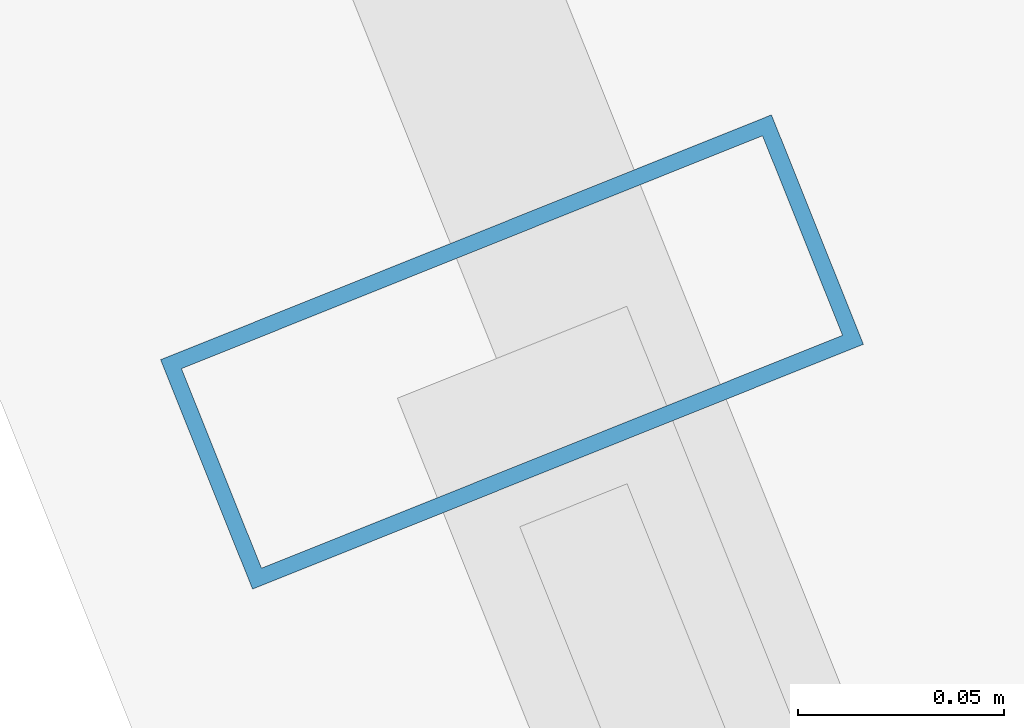
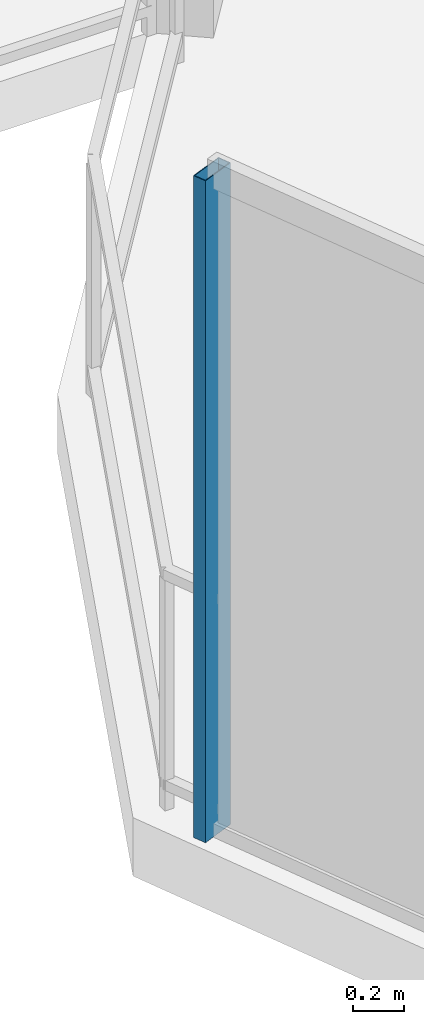
# One storey, part 16 of 32: 1 member, 1 element without a shape of its own.
"""IFC4 building model written with IfcOpenShell, lengths in metres."""

import ifcopenshell
import ifcopenshell.guid

model = None  # the IFC model being written
_history = None  # IfcOwnerHistory: only IFC2X3 demands one
_inside = {}  # id of a spatial element -> (the spatial element, [elements in it])
_under = {}  # id of a project, library or spatial element -> (it, [spatial elements below it])
_declared = {}  # id of a project -> (the project, [libraries it declares])
_typed = {}  # id of a type object -> (the type object, [elements of that type])
_made_of = {}  # id of a material, layer set ... -> (it, [elements and type objects made of it])


def new_model(schema):
    """Start an empty IFC model of exactly this schema.

    Asked for "IFC4X3", IfcOpenShell would pick the latest addendum, in which some entities
    have other attributes; the version numbers below select the first issue.
    IFC2X3 requires an IfcOwnerHistory on every rooted entity: one is made here for all.
    """
    global model, _history
    if schema == "IFC4X3":
        model = ifcopenshell.file(schema_version=(4, 3, 0, 0))
    else:
        model = ifcopenshell.file(schema=schema)
    _inside.clear()
    _under.clear()
    _declared.clear()
    _typed.clear()
    _made_of.clear()
    _history = None
    if model.schema == "IFC2X3":
        org = make("IfcOrganization", Name="unknown")
        user = make(
            "IfcPersonAndOrganization",
            ThePerson=make("IfcPerson", FamilyName="unknown"),
            TheOrganization=org,
        )
        app = make(
            "IfcApplication",
            ApplicationDeveloper=org,
            Version="unknown",
            ApplicationFullName="unknown",
            ApplicationIdentifier="unknown",
        )
        _history = make(
            "IfcOwnerHistory",
            OwningUser=user,
            OwningApplication=app,
            ChangeAction="ADDED",
            CreationDate=0,
        )
    return model


def make(cls, **values):
    """One entity of the class cls with the attributes given. An attribute that is None is left unset."""
    return model.create_entity(
        cls, **{name: value for name, value in values.items() if value is not None}
    )


def rooted(cls, **values):
    """An entity with a GlobalId (a new one), such as an element, a storey or a relation."""
    return make(cls, GlobalId=ifcopenshell.guid.new(), OwnerHistory=_history, **values)


def si_unit(unit_type, name, prefix=None):
    """IfcSIUnit, for example si_unit("LENGTHUNIT", "METRE", prefix="MILLI")."""
    return make("IfcSIUnit", UnitType=unit_type, Prefix=prefix, Name=name)


def assignment(units):
    """IfcUnitAssignment: the units of a project."""
    return None if units is None else make("IfcUnitAssignment", Units=units)


def point(xyz):
    """IfcCartesianPoint."""
    return None if xyz is None else make("IfcCartesianPoint", Coordinates=xyz)


def direction(xyz):
    """IfcDirection."""
    return None if xyz is None else make("IfcDirection", DirectionRatios=xyz)


def frame(location, z_axis=None, x_axis=None):
    """IfcAxis2Placement3D, a coordinate frame: its origin and axes. An axis left out is left unset."""
    return make(
        "IfcAxis2Placement3D",
        Location=point(location),
        Axis=direction(z_axis),
        RefDirection=direction(x_axis),
    )


def frame_2d(location, x_axis=None):
    """IfcAxis2Placement2D, a coordinate frame in the plane: its origin and x axis."""
    return make(
        "IfcAxis2Placement2D", Location=point(location), RefDirection=direction(x_axis)
    )


def origin():
    """The frame at (0, 0, 0) with its axes left unset."""
    return frame((0.0, 0.0, 0.0))


def origin_2d():
    """The frame at (0, 0) in the plane with its x axis left unset."""
    return frame_2d((0.0, 0.0))


def place(relative_to, where):
    """IfcLocalPlacement: puts the frame where relative to a parent placement (None: the world)."""
    return make(
        "IfcLocalPlacement", PlacementRelTo=relative_to, RelativePlacement=where
    )


def context(
    kind, dimensions, precision=None, world=None, true_north=None, identifier=None
):
    """IfcGeometricRepresentationContext, for example the 3D "Model" context."""
    return make(
        "IfcGeometricRepresentationContext",
        ContextIdentifier=identifier,
        ContextType=kind,
        CoordinateSpaceDimension=dimensions,
        Precision=precision,
        WorldCoordinateSystem=world,
        TrueNorth=true_north,
    )


def subcontext(parent, identifier, kind, view, scale=None):
    """IfcGeometricRepresentationSubContext, for example "Body" below "Model"."""
    return make(
        "IfcGeometricRepresentationSubContext",
        ContextIdentifier=identifier,
        ContextType=kind,
        ParentContext=parent,
        TargetScale=scale,
        TargetView=view,
    )


def project(units=None, contexts=None):
    """IfcProject with its units and contexts."""
    return rooted(
        "IfcProject",
        Name="project",
        RepresentationContexts=contexts,
        UnitsInContext=assignment(units),
    )


def spatial(cls, under=None, at=None, **own):
    """A site, building, storey or space (cls), placed at a placement, below another one or the project."""
    s = rooted(cls, ObjectPlacement=at, **own)
    if under is not None:
        _under.setdefault(under.id(), (under, []))[1].append(s)
    return s


def profile(cls, at=None, kind="AREA", **sizes):
    """A parametric profile (cls). Its sizes go by their IFC names, for example OverallWidth=200.0."""
    return make(cls, ProfileType=kind, Position=at, **sizes)


def hollow_rectangle(**sizes):
    """IfcRectangleHollowProfileDef."""
    return profile("IfcRectangleHollowProfileDef", **sizes)


def extrude(swept, where, along, depth):
    """IfcExtrudedAreaSolid: the profile swept, set in the frame where, extruded along a direction by depth."""
    return make(
        "IfcExtrudedAreaSolid",
        SweptArea=swept,
        Position=where,
        ExtrudedDirection=direction(along),
        Depth=depth,
    )


def shape(context_of_items, identifier, shape_type, items):
    """IfcShapeRepresentation: the items that make up one representation, for example the "Body"."""
    return make(
        "IfcShapeRepresentation",
        ContextOfItems=context_of_items,
        RepresentationIdentifier=identifier,
        RepresentationType=shape_type,
        Items=items,
    )


def material(Name=None, Category=None):
    """IfcMaterial."""
    return make("IfcMaterial", Name=Name, Category=Category)


def layer(
    of_material, thickness, ventilated=None, Name=None, Category=None, Priority=None
):
    """IfcMaterialLayer: one layer of a wall or slab, of a material (None: an air gap)."""
    return make(
        "IfcMaterialLayer",
        Material=of_material,
        LayerThickness=thickness,
        IsVentilated=ventilated,
        Name=Name,
        Category=Category,
        Priority=Priority,
    )


def layer_set(layers, Name=None):
    """IfcMaterialLayerSet."""
    return make("IfcMaterialLayerSet", MaterialLayers=layers, LayerSetName=Name)


def material_profile(
    of_material, cross_section, Name=None, Category=None, Priority=None
):
    """IfcMaterialProfile: a cross section and its material."""
    return make(
        "IfcMaterialProfile",
        Name=Name,
        Material=of_material,
        Profile=cross_section,
        Priority=Priority,
        Category=Category,
    )


def profile_set(profiles, Name=None, composite=None):
    """IfcMaterialProfileSet."""
    return make(
        "IfcMaterialProfileSet",
        Name=Name,
        MaterialProfiles=profiles,
        CompositeProfile=composite,
    )


def made_of(thing, what):
    """Note that an element or type object is made of a material, layer set ...; save() writes the relation."""
    if what is not None:
        _made_of.setdefault(what.id(), (what, []))[1].append(thing)
    return thing


def type_object(cls, material=None, **own):
    """A type object (cls), such as IfcWallType, which elements share."""
    return made_of(rooted(cls, **own), material)


def element(
    cls,
    number,
    at=None,
    inside=None,
    cuts=None,
    type_object=None,
    material=None,
    context=None,
    identifier="Body",
    shape_type=None,
    held_by="IfcProductDefinitionShape",
    body=None,
    shapes=None,
    **own,
):
    """One element of the class cls, such as IfcWall. Its Tag is "e" and its number.

    at: its placement. inside: the storey or other place that contains it. cuts: it is an
    opening in that element (IfcRelVoidsElement). A single representation is given by context,
    identifier, shape_type and body (its items); several are given by shapes. held_by: the class
    of the entity that holds the representations. save() writes the other relations.
    """
    e = rooted(cls, Tag="e%d" % number, ObjectPlacement=at, **own)
    if body is not None:
        shapes = [shape(context, identifier, shape_type, body)]
    if shapes is not None:
        e.Representation = make(held_by, Representations=shapes)
    if inside is not None:
        _inside.setdefault(inside.id(), (inside, []))[1].append(e)
    if cuts is not None:
        rooted(
            "IfcRelVoidsElement", RelatingBuildingElement=cuts, RelatedOpeningElement=e
        )
    if type_object is not None:
        _typed.setdefault(type_object.id(), (type_object, []))[1].append(e)
    return made_of(e, material)


def aggregate(whole, parts):
    """IfcRelAggregates: a whole, such as a stair, and the parts it consists of."""
    return rooted("IfcRelAggregates", RelatingObject=whole, RelatedObjects=parts)


def save(model, path):
    """Write the relations noted so far, then the file.

    IfcRelAggregates (storeys below a building ...), IfcRelContainedInSpatialStructure (elements
    in a storey), IfcRelDefinesByType, IfcRelAssociatesMaterial and IfcRelDeclares: one each for
    every whole, place, type object, material and project.
    """
    for whole, parts in _under.values():
        aggregate(whole, parts)
    for where, things in _inside.values():
        rooted(
            "IfcRelContainedInSpatialStructure",
            RelatedElements=things,
            RelatingStructure=where,
        )
    for kind, things in _typed.values():
        rooted("IfcRelDefinesByType", RelatedObjects=things, RelatingType=kind)
    for what, things in _made_of.values():
        rooted("IfcRelAssociatesMaterial", RelatedObjects=things, RelatingMaterial=what)
    for by, libraries in _declared.values():
        rooted("IfcRelDeclares", RelatingContext=by, RelatedDefinitions=libraries)
    model.write(path)


model = new_model("IFC4")

# Units and contexts
model_context = context("Model", 3, precision=1e-05, world=origin(), true_north=direction((0.0, 1.0)))
body_context = subcontext(model_context, "Body", "Model", "MODEL_VIEW")
ifc_project = project(units=[si_unit("LENGTHUNIT", "METRE"), si_unit("AREAUNIT", "SQUARE_METRE"), si_unit("VOLUMEUNIT", "CUBIC_METRE"), si_unit("PLANEANGLEUNIT", "RADIAN"), si_unit("MASSUNIT", "GRAM", prefix="KILO")], contexts=[model_context])

# Site, building, storey
site_placement = place(None, origin())
site = spatial("IfcSite", under=ifc_project, at=site_placement, CompositionType="ELEMENT")
building_placement = place(site_placement, origin())
building = spatial("IfcBuilding", under=site, at=building_placement, Name="Qarnah Convention Tower", CompositionType="ELEMENT")
storey_placement = place(building_placement, frame((0.0, 0.0, 37.35009765625)))
storey = spatial("IfcBuildingStorey", under=building, at=storey_placement, Name="L08", CompositionType="ELEMENT", Elevation=37.35009765625)

# Curtain wall, member
ifc_material_1 = material(Name="Tempered Low-E dark glass", Category="glass")
ifc_layer = layer(ifc_material_1, 0.16796875)
ifc_layer_set = layer_set([ifc_layer], Name="Tempered Low-E dark glass")
curtain_wall_type = type_object("IfcCurtainWallType", Name="CWS-01", PredefinedType="NOTDEFINED", material=ifc_layer_set)
curtain_wall_placement = place(storey_placement, origin())
curtain_wall = element("IfcCurtainWall", 1, at=curtain_wall_placement, inside=storey, type_object=curtain_wall_type, Name="L08 unitised curtain wall CW-L08-F1", PredefinedType="NOTDEFINED")
ifc_material_2 = material(Name="Black anodised aluminium", Category="aluminium")
ifc_material_profile = material_profile(ifc_material_2, hollow_rectangle(XDim=0.06005859375, YDim=0.159912109375, WallThickness=0.00390625, at=origin_2d()), Name="MUL-60X160")
ifc_profile_set = profile_set([ifc_material_profile], Name="Black anodised aluminium")
member_type = type_object("IfcMemberType", Name="MUL-T1", PredefinedType="MULLION", material=ifc_profile_set)
member_placement = place(storey_placement, frame((14.0830078125, 35.303955078125, 0.0), z_axis=(0.0, 0.0, 1.0), x_axis=(-0.372016711815, 0.92822603181, 0.0)))
member = element("IfcMember", 2, at=member_placement, type_object=member_type, Name="CW-L08-F1 mullion 6", PredefinedType="MULLION", context=body_context, shape_type="SweptSolid", body=[
    extrude(hollow_rectangle(XDim=0.06005859375, YDim=0.159912109375, WallThickness=0.00390625, at=origin_2d()), origin(), (0.0, 0.0, 1.0), 3.169921875),
])
aggregate(curtain_wall, [member])

save(model, "model.ifc")
